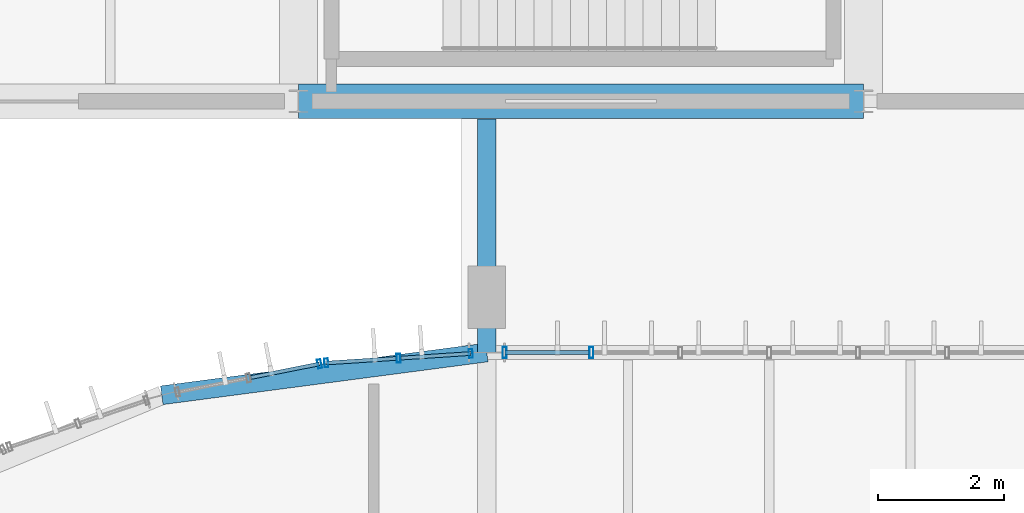
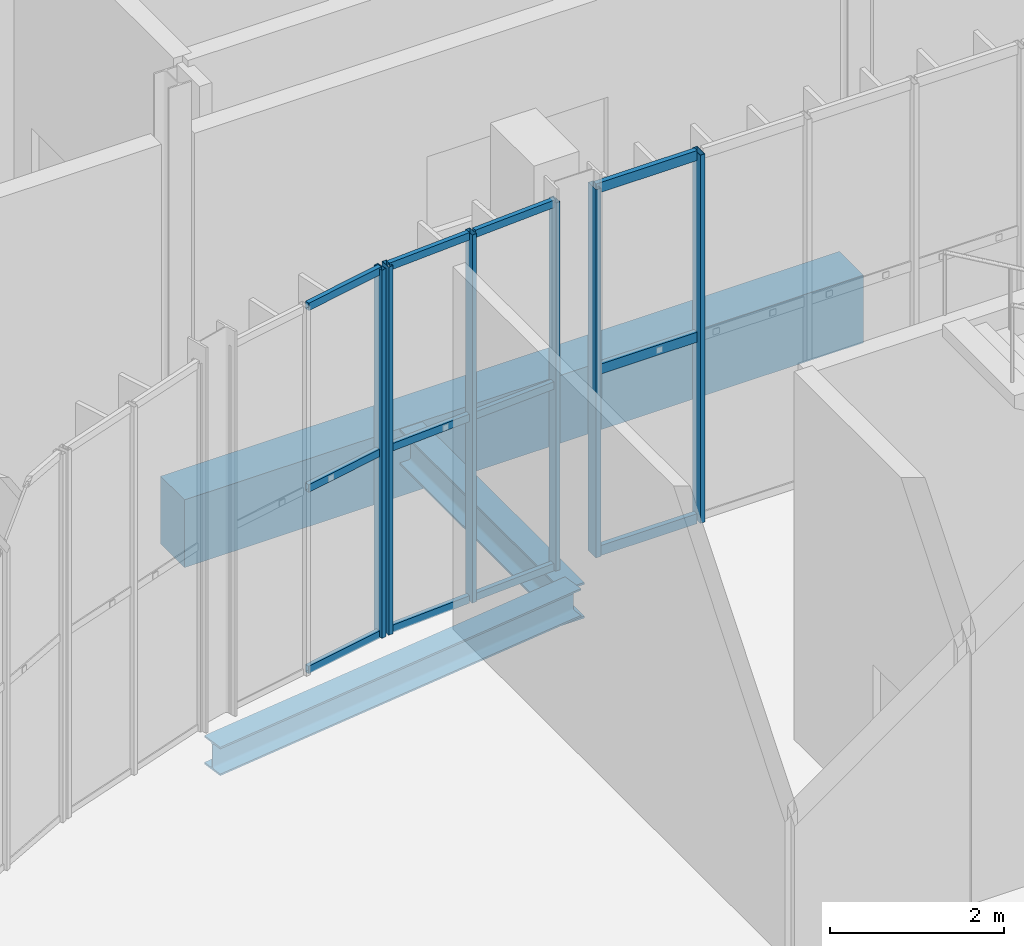
# One storey, part 60 of 158: 18 members, 3 beams, 3 elements without a shape of their own.
"""IFC4 building model written with IfcOpenShell, lengths in metres."""

from ifc_helpers import new_model, si_unit, derived_unit, direction, frame, origin, origin_2d, place, context, subcontext, project, spatial, rectangle, hollow_rectangle, i_section, extrude, material, material_profile, profile_set, type_object, element, aggregate, save


model = new_model("IFC4")

# Units and contexts
model_context = context("Model", 3, precision=1e-05, world=origin(), true_north=direction((0.0, 1.0)))
body_context = subcontext(model_context, "Body", "Model", "MODEL_VIEW")
ifc_project = project(units=[si_unit("LENGTHUNIT", "METRE"), si_unit("AREAUNIT", "SQUARE_METRE"), si_unit("VOLUMEUNIT", "CUBIC_METRE"), si_unit("PLANEANGLEUNIT", "RADIAN"), si_unit("MASSUNIT", "GRAM", prefix="KILO"), si_unit("THERMODYNAMICTEMPERATUREUNIT", "KELVIN"), si_unit("TIMEUNIT", "SECOND"), derived_unit("THERMALTRANSMITTANCEUNIT", [(si_unit("MASSUNIT", "GRAM", prefix="KILO"), 1), (si_unit("THERMODYNAMICTEMPERATUREUNIT", "KELVIN"), -1), (si_unit("TIMEUNIT", "SECOND"), -3)])], contexts=[model_context])

# Site, building, storey
site_placement = place(None, origin())
site = spatial("IfcSite", under=ifc_project, at=site_placement, CompositionType="ELEMENT")
building_placement = place(site_placement, origin())
building = spatial("IfcBuilding", under=site, at=building_placement, Name="Cambertide Market Hall", CompositionType="ELEMENT")
storey_placement = place(building_placement, origin())
storey = spatial("IfcBuildingStorey", under=building, at=storey_placement, Name="L01", CompositionType="ELEMENT", Elevation=0.0)

# Beam
ifc_material_1 = material(Name="Concrete B35", Category="concrete")
ifc_material_profile_1 = material_profile(ifc_material_1, rectangle(XDim=0.550048828125, YDim=0.949951171875, at=origin_2d()), Name="RC 550x950")
ifc_profile_set_1 = profile_set([ifc_material_profile_1], Name="Concrete B35")
beam_type_1 = type_object("IfcBeamType", Name="Concrete T-Beam RC 550x950", PredefinedType="T_BEAM", material=ifc_profile_set_1)
beam_1_placement = place(storey_placement, frame((39.0, 96.0, -0.8349609375), z_axis=(1.0, 0.0, 0.0), x_axis=(0.0, 1.0, 0.0)))
element("IfcBeam", 1, at=beam_1_placement, inside=storey, type_object=beam_type_1, Name="Level 1 T_Beam BM-V2X-L01-4-1", PredefinedType="T_BEAM", context=body_context, shape_type="SweptSolid", body=[
    extrude(rectangle(XDim=0.550048828125, YDim=0.949951171875, at=origin_2d()), origin(), (0.0, 0.0, 1.0), 9.0),
])

# Curtain wall, members
ifc_material_2 = material(Name="Marine Anodized Aluminium 6063-T6 AA25", Category="aluminium")
curtain_wall_type_1 = type_object("IfcCurtainWallType", Name="Lantern Apse Chord Lower Curtain Wall", PredefinedType="USERDEFINED", material=ifc_material_2)
curtain_wall_1_placement = place(storey_placement, origin())
curtain_wall_1 = element("IfcCurtainWall", 2, at=curtain_wall_1_placement, inside=storey, type_object=curtain_wall_type_1, Name="Level 1 Curtain Wall CW-V1AW-L01-01", ObjectType="UNITIZED CURTAIN WALL", PredefinedType="USERDEFINED")
ifc_material_3 = material(Name="Champagne Marine Anodized Aluminium 6063-T6 AA25", Category="aluminium")
ifc_material_profile_2 = material_profile(ifc_material_3, hollow_rectangle(XDim=0.06005859375, YDim=0.139892578125, WallThickness=0.00341796875, at=origin_2d()), Name="ALU MULLION 60x140")
ifc_profile_set_2 = profile_set([ifc_material_profile_2], Name="Champagne Marine Anodized Aluminium 6063-T6 AA25")
member_type_1 = type_object("IfcMemberType", Name="Curtain Wall Mullion ALU MULLION 60x140", PredefinedType="MULLION", material=ifc_profile_set_2)
member_1_placement = place(storey_placement, frame((39.4443359375, 91.83251953125, 0.0), z_axis=(0.0, 0.0, 1.0), x_axis=(0.997858917819, 0.065403211921, 0.0)))
member_1 = element("IfcMember", 3, at=member_1_placement, type_object=member_type_1, Name="CW-V1AW-L01-01 Mullion 1", PredefinedType="MULLION", context=body_context, shape_type="SweptSolid", body=[
    extrude(hollow_rectangle(XDim=0.06005859375, YDim=0.139892578125, WallThickness=0.00341796875, at=origin_2d()), origin(), (0.0, 0.0, 1.0), 5.159912109375),
])
member_2_placement = place(storey_placement, frame((40.594970703125, 91.907958984375, 0.0), z_axis=(0.0, 0.0, 1.0), x_axis=(0.997858917819, 0.065403211921, 0.0)))
member_2 = element("IfcMember", 4, at=member_2_placement, type_object=member_type_1, Name="CW-V1AW-L01-01 Mullion 2", PredefinedType="MULLION", context=body_context, shape_type="SweptSolid", body=[
    extrude(hollow_rectangle(XDim=0.06005859375, YDim=0.139892578125, WallThickness=0.00341796875, at=origin_2d()), origin(), (0.0, 0.0, 1.0), 5.159912109375),
])
member_3_placement = place(storey_placement, frame((41.74560546875, 91.9833984375, 0.0), z_axis=(0.0, 0.0, 1.0), x_axis=(0.997858917819, 0.065403211921, 0.0)))
member_3 = element("IfcMember", 5, at=member_3_placement, type_object=member_type_1, Name="CW-V1AW-L01-01 Mullion 3", PredefinedType="MULLION", context=body_context, shape_type="SweptSolid", body=[
    extrude(hollow_rectangle(XDim=0.06005859375, YDim=0.139892578125, WallThickness=0.00341796875, at=origin_2d()), origin(), (0.0, 0.0, 1.0), 5.159912109375),
])

# Curtain wall, member
curtain_wall_2_placement = place(storey_placement, origin())
curtain_wall_2 = element("IfcCurtainWall", 6, at=curtain_wall_2_placement, inside=storey, type_object=curtain_wall_type_1, Name="Level 1 Curtain Wall CW-V1AW-L01-02", ObjectType="UNITIZED CURTAIN WALL", PredefinedType="USERDEFINED")
member_4_placement = place(storey_placement, frame((39.33544921875, 91.818115234375, 0.0), z_axis=(0.0, 0.0, 1.0), x_axis=(0.980785330885, 0.195090068226, 0.0)))
member_4 = element("IfcMember", 7, at=member_4_placement, type_object=member_type_1, Name="CW-V1AW-L01-02 Mullion 3", PredefinedType="MULLION", context=body_context, shape_type="SweptSolid", body=[
    extrude(hollow_rectangle(XDim=0.06005859375, YDim=0.139892578125, WallThickness=0.00341796875, at=origin_2d()), origin(), (0.0, 0.0, 1.0), 5.159912109375),
])

# Curtain wall, members
ifc_material_4 = material(Name="Marine Anodized Aluminium 6063-T6 AA25", Category="aluminium")
curtain_wall_type_2 = type_object("IfcCurtainWallType", Name="Lantern Straight Lower Curtain Wall", PredefinedType="USERDEFINED", material=ifc_material_4)
curtain_wall_3_placement = place(storey_placement, origin())
curtain_wall_3 = element("IfcCurtainWall", 8, at=curtain_wall_3_placement, inside=storey, type_object=curtain_wall_type_2, Name="Level 1 Curtain Wall CW-V1N-L01-1", ObjectType="UNITIZED CURTAIN WALL", PredefinedType="USERDEFINED")
ifc_material_5 = material(Name="Champagne Marine Anodized Aluminium 6063-T6 AA25", Category="aluminium")
ifc_material_profile_3 = material_profile(ifc_material_5, hollow_rectangle(XDim=0.06494140625, YDim=0.179931640625, WallThickness=0.00390625, at=origin_2d()), Name="ALU MULLION 65x180")
ifc_profile_set_3 = profile_set([ifc_material_profile_3], Name="Champagne Marine Anodized Aluminium 6063-T6 AA25")
member_type_2 = type_object("IfcMemberType", Name="Curtain Wall Mullion ALU MULLION 65x180", PredefinedType="MULLION", material=ifc_profile_set_3)
member_5_placement = place(storey_placement, frame((42.284912109375, 92.0, 0.0), z_axis=(0.0, 0.0, 1.0), x_axis=(1.0, 0.0, 0.0)))
member_5 = element("IfcMember", 9, at=member_5_placement, type_object=member_type_2, Name="CW-V1N-L01-1 Mullion 1", PredefinedType="MULLION", context=body_context, shape_type="SweptSolid", body=[
    extrude(hollow_rectangle(XDim=0.06494140625, YDim=0.179931640625, WallThickness=0.00390625, at=origin_2d()), origin(), (0.0, 0.0, 1.0), 5.159912109375),
])
member_6_placement = place(storey_placement, frame((43.666748046875, 92.0, 0.0), z_axis=(0.0, 0.0, 1.0), x_axis=(1.0, 0.0, 0.0)))
member_6 = element("IfcMember", 10, at=member_6_placement, type_object=member_type_2, Name="CW-V1N-L01-1 Mullion 2", PredefinedType="MULLION", context=body_context, shape_type="SweptSolid", body=[
    extrude(hollow_rectangle(XDim=0.06494140625, YDim=0.179931640625, WallThickness=0.00390625, at=origin_2d()), origin(), (0.0, 0.0, 1.0), 5.159912109375),
])

# Member
ifc_material_6 = material(Name="Champagne Marine Anodized Aluminium 6063-T6 AA25", Category="aluminium")
ifc_material_profile_4 = material_profile(ifc_material_6, hollow_rectangle(XDim=0.06005859375, YDim=0.10498046875, WallThickness=0.0029296875, at=origin_2d()), Name="ALU TRANSOM 60x105")
ifc_profile_set_4 = profile_set([ifc_material_profile_4], Name="Champagne Marine Anodized Aluminium 6063-T6 AA25")
member_type_3 = type_object("IfcMemberType", Name="Curtain Wall Transom ALU TRANSOM 60x105", PredefinedType="USERDEFINED", material=ifc_profile_set_4)
member_7_placement = place(storey_placement, frame((39.449462890625, 91.832763671875, 0.034912109375), z_axis=(0.997855769469, 0.065451228695, 0.0), x_axis=(-0.065451228695, 0.997855769469, 0.0)))
member_7 = element("IfcMember", 11, at=member_7_placement, type_object=member_type_3, Name="CW-V1AW-L01-01 Transom 1-1", ObjectType="TRANSOM", PredefinedType="USERDEFINED", context=body_context, shape_type="SweptSolid", body=[
    extrude(hollow_rectangle(XDim=0.06005859375, YDim=0.10498046875, WallThickness=0.0029296875, at=origin_2d()), origin(), (0.0, 0.0, 1.0), 1.10791015625),
])

member_8_placement = place(storey_placement, frame((40.634765625, 91.91064453125, 0.034912109375), z_axis=(0.997871075842, 0.065217451634, 0.0), x_axis=(-0.065217451634, 0.997871075842, 0.0)))
member_8 = element("IfcMember", 12, at=member_8_placement, type_object=member_type_3, Name="CW-V1AW-L01-01 Transom 1-2", ObjectType="TRANSOM", PredefinedType="USERDEFINED", context=body_context, shape_type="SweptSolid", body=[
    extrude(hollow_rectangle(XDim=0.06005859375, YDim=0.10498046875, WallThickness=0.0029296875, at=origin_2d()), origin(), (0.0, 0.0, 1.0), 1.108154296875),
])

member_9_placement = place(storey_placement, frame((39.449462890625, 91.832763671875, 2.580078125), z_axis=(0.997855769469, 0.065451228695, 0.0), x_axis=(-0.065451228695, 0.997855769469, 0.0)))
member_9 = element("IfcMember", 13, at=member_9_placement, type_object=member_type_3, Name="CW-V1AW-L01-01 Transom 2-1", ObjectType="TRANSOM", PredefinedType="USERDEFINED", context=body_context, shape_type="SweptSolid", body=[
    extrude(hollow_rectangle(XDim=0.06005859375, YDim=0.10498046875, WallThickness=0.0029296875, at=origin_2d()), origin(), (0.0, 0.0, 1.0), 1.10791015625),
])

member_10_placement = place(storey_placement, frame((40.634765625, 91.91064453125, 2.580078125), z_axis=(0.997871075842, 0.065217451634, 0.0), x_axis=(-0.065217451634, 0.997871075842, 0.0)))
member_10 = element("IfcMember", 14, at=member_10_placement, type_object=member_type_3, Name="CW-V1AW-L01-01 Transom 2-2", ObjectType="TRANSOM", PredefinedType="USERDEFINED", context=body_context, shape_type="SweptSolid", body=[
    extrude(hollow_rectangle(XDim=0.06005859375, YDim=0.10498046875, WallThickness=0.0029296875, at=origin_2d()), origin(), (0.0, 0.0, 1.0), 1.108154296875),
])

member_11_placement = place(storey_placement, frame((39.449462890625, 91.832763671875, 5.125), z_axis=(0.997855769469, 0.065451228695, 0.0), x_axis=(-0.065451228695, 0.997855769469, 0.0)))
member_11 = element("IfcMember", 15, at=member_11_placement, type_object=member_type_3, Name="CW-V1AW-L01-01 Transom 3-1", ObjectType="TRANSOM", PredefinedType="USERDEFINED", context=body_context, shape_type="SweptSolid", body=[
    extrude(hollow_rectangle(XDim=0.06005859375, YDim=0.10498046875, WallThickness=0.0029296875, at=origin_2d()), origin(), (0.0, 0.0, 1.0), 1.10791015625),
])

member_12_placement = place(storey_placement, frame((40.634765625, 91.91064453125, 5.125), z_axis=(0.997871075842, 0.065217451634, 0.0), x_axis=(-0.065217451634, 0.997871075842, 0.0)))
member_12 = element("IfcMember", 16, at=member_12_placement, type_object=member_type_3, Name="CW-V1AW-L01-01 Transom 3-2", ObjectType="TRANSOM", PredefinedType="USERDEFINED", context=body_context, shape_type="SweptSolid", body=[
    extrude(hollow_rectangle(XDim=0.06005859375, YDim=0.10498046875, WallThickness=0.0029296875, at=origin_2d()), origin(), (0.0, 0.0, 1.0), 1.108154296875),
])

aggregate(curtain_wall_1, [member_1, member_2, member_3, member_7, member_8, member_9, member_10, member_11, member_12])

member_13_placement = place(storey_placement, frame((38.243896484375, 91.60107421875, 0.034912109375), z_axis=(0.980800411785, 0.195014235999, 0.0), x_axis=(-0.195014235999, 0.980800411785, 0.0)))
member_13 = element("IfcMember", 17, at=member_13_placement, type_object=member_type_3, Name="CW-V1AW-L01-02 Transom 1-2", ObjectType="TRANSOM", PredefinedType="USERDEFINED", context=body_context, shape_type="SweptSolid", body=[
    extrude(hollow_rectangle(XDim=0.06005859375, YDim=0.10498046875, WallThickness=0.0029296875, at=origin_2d()), origin(), (0.0, 0.0, 1.0), 1.10791015625),
])

member_14_placement = place(storey_placement, frame((38.243896484375, 91.60107421875, 2.580078125), z_axis=(0.980800411785, 0.195014235999, 0.0), x_axis=(-0.195014235999, 0.980800411785, 0.0)))
member_14 = element("IfcMember", 18, at=member_14_placement, type_object=member_type_3, Name="CW-V1AW-L01-02 Transom 2-2", ObjectType="TRANSOM", PredefinedType="USERDEFINED", context=body_context, shape_type="SweptSolid", body=[
    extrude(hollow_rectangle(XDim=0.06005859375, YDim=0.10498046875, WallThickness=0.0029296875, at=origin_2d()), origin(), (0.0, 0.0, 1.0), 1.10791015625),
])

member_15_placement = place(storey_placement, frame((38.243896484375, 91.60107421875, 5.125), z_axis=(0.980800411785, 0.195014235999, 0.0), x_axis=(-0.195014235999, 0.980800411785, 0.0)))
member_15 = element("IfcMember", 19, at=member_15_placement, type_object=member_type_3, Name="CW-V1AW-L01-02 Transom 3-2", ObjectType="TRANSOM", PredefinedType="USERDEFINED", context=body_context, shape_type="SweptSolid", body=[
    extrude(hollow_rectangle(XDim=0.06005859375, YDim=0.10498046875, WallThickness=0.0029296875, at=origin_2d()), origin(), (0.0, 0.0, 1.0), 1.10791015625),
])

aggregate(curtain_wall_2, [member_4, member_13, member_14, member_15])

ifc_material_7 = material(Name="Champagne Marine Anodized Aluminium 6063-T6 AA25", Category="aluminium")
ifc_material_profile_5 = material_profile(ifc_material_7, hollow_rectangle(XDim=0.06494140625, YDim=0.139892578125, WallThickness=0.00341796875, at=origin_2d()), Name="ALU TRANSOM 65x140")
ifc_profile_set_5 = profile_set([ifc_material_profile_5], Name="Champagne Marine Anodized Aluminium 6063-T6 AA25")
member_type_4 = type_object("IfcMemberType", Name="Curtain Wall Transom ALU TRANSOM 65x140", PredefinedType="USERDEFINED", material=ifc_profile_set_5)
member_16_placement = place(storey_placement, frame((42.2900390625, 92.0, 0.034912109375), z_axis=(1.0, 0.0, 0.0), x_axis=(0.0, 1.0, 0.0)))
member_16 = element("IfcMember", 20, at=member_16_placement, type_object=member_type_4, Name="CW-V1N-L01-1 Transom 1-1", ObjectType="TRANSOM", PredefinedType="USERDEFINED", context=body_context, shape_type="SweptSolid", body=[
    extrude(hollow_rectangle(XDim=0.06494140625, YDim=0.139892578125, WallThickness=0.00341796875, at=origin_2d()), origin(), (0.0, 0.0, 1.0), 1.336669921875),
])

member_17_placement = place(storey_placement, frame((42.2900390625, 92.0, 2.580078125), z_axis=(1.0, 0.0, 0.0), x_axis=(0.0, 1.0, 0.0)))
member_17 = element("IfcMember", 21, at=member_17_placement, type_object=member_type_4, Name="CW-V1N-L01-1 Transom 2-1", ObjectType="TRANSOM", PredefinedType="USERDEFINED", context=body_context, shape_type="SweptSolid", body=[
    extrude(hollow_rectangle(XDim=0.06494140625, YDim=0.139892578125, WallThickness=0.00341796875, at=origin_2d()), origin(), (0.0, 0.0, 1.0), 1.336669921875),
])

member_18_placement = place(storey_placement, frame((42.2900390625, 92.0, 5.125), z_axis=(1.0, 0.0, 0.0), x_axis=(0.0, 1.0, 0.0)))
member_18 = element("IfcMember", 22, at=member_18_placement, type_object=member_type_4, Name="CW-V1N-L01-1 Transom 3-1", ObjectType="TRANSOM", PredefinedType="USERDEFINED", context=body_context, shape_type="SweptSolid", body=[
    extrude(hollow_rectangle(XDim=0.06494140625, YDim=0.139892578125, WallThickness=0.00341796875, at=origin_2d()), origin(), (0.0, 0.0, 1.0), 1.336669921875),
])

aggregate(curtain_wall_3, [member_5, member_6, member_16, member_17, member_18])

# Beams
ifc_material_8 = material(Name="Steel S355", Category="steel")
ifc_material_profile_6 = material_profile(ifc_material_8, i_section(OverallWidth=0.300048828125, OverallDepth=0.39990234375, WebThickness=0.013427734375, FlangeThickness=0.02392578125, FilletRadius=0.027099609375, at=origin_2d()), Name="HEB 400")
ifc_profile_set_6 = profile_set([ifc_material_profile_6], Name="Steel S355")
beam_type_2 = type_object("IfcBeamType", Name="Steel Girder HEB 400", PredefinedType="BEAM", material=ifc_profile_set_6)
beam_2_placement = place(storey_placement, frame((42.0, 92.0, -0.510009765625), z_axis=(-0.991446654043, -0.130512574825, 0.0), x_axis=(0.130512574825, -0.991446654043, 0.0)))
element("IfcBeam", 23, at=beam_2_placement, inside=storey, type_object=beam_type_2, Name="Level 1 Beam BM-V1AW-L01-1", PredefinedType="BEAM", context=body_context, shape_type="SweptSolid", body=[
    extrude(i_section(OverallWidth=0.300048828125, OverallDepth=0.39990234375, WebThickness=0.013427734375, FlangeThickness=0.02392578125, FilletRadius=0.027099609375, at=origin_2d()), origin(), (0.0, 0.0, 1.0), 5.220947265625),
])
ifc_material_9 = material(Name="Steel S355", Category="steel")
ifc_material_profile_7 = material_profile(ifc_material_9, i_section(OverallWidth=0.300048828125, OverallDepth=0.5, WebThickness=0.014404296875, FlangeThickness=0.028076171875, FilletRadius=0.027099609375, at=origin_2d()), Name="HEB 500")
ifc_profile_set_7 = profile_set([ifc_material_profile_7], Name="Steel S355")
beam_type_3 = type_object("IfcBeamType", Name="Steel Girder HEB 500", PredefinedType="BEAM", material=ifc_profile_set_7)
beam_3_placement = place(storey_placement, frame((42.0, 92.0, -0.610107421875), z_axis=(0.0, 1.0, 0.0), x_axis=(-1.0, 0.0, 0.0)))
element("IfcBeam", 24, at=beam_3_placement, inside=storey, type_object=beam_type_3, Name="Level 1 Beam TIE-V1V2-1", PredefinedType="BEAM", context=body_context, shape_type="SweptSolid", body=[
    extrude(i_section(OverallWidth=0.300048828125, OverallDepth=0.5, WebThickness=0.014404296875, FlangeThickness=0.028076171875, FilletRadius=0.027099609375, at=origin_2d()), origin(), (0.0, 0.0, 1.0), 3.717041015625),
])

save(model, "model.ifc")
